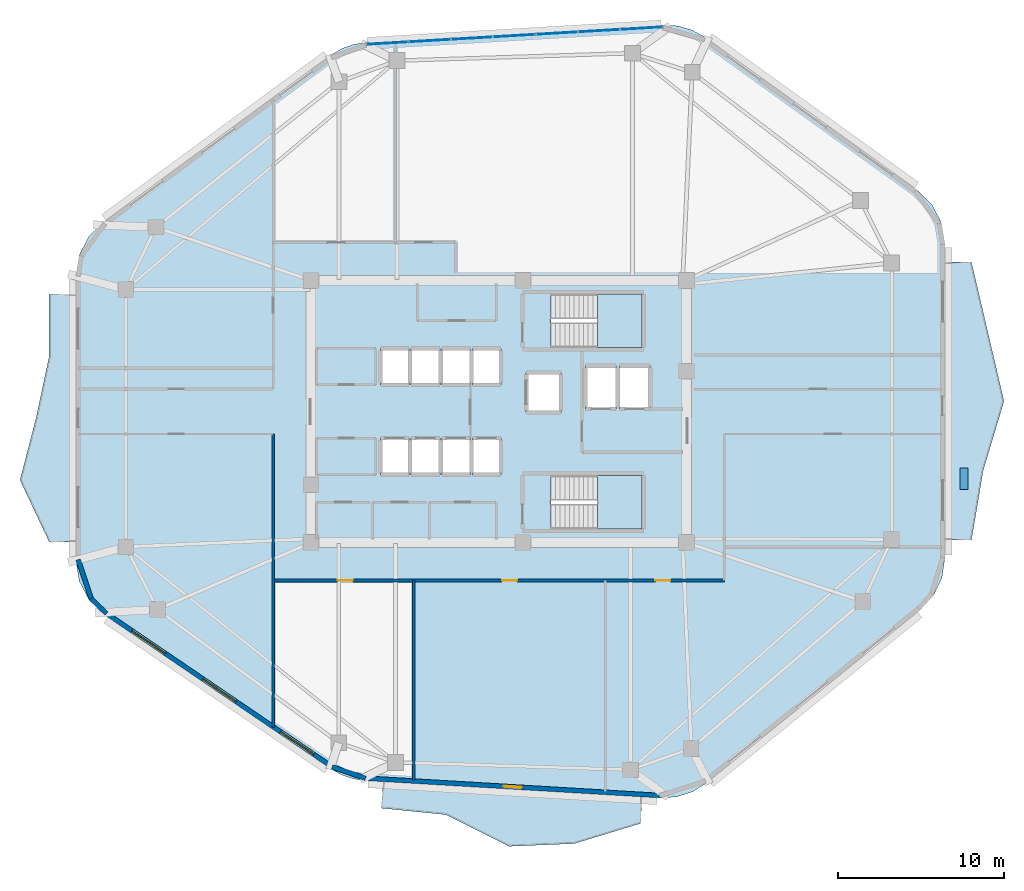
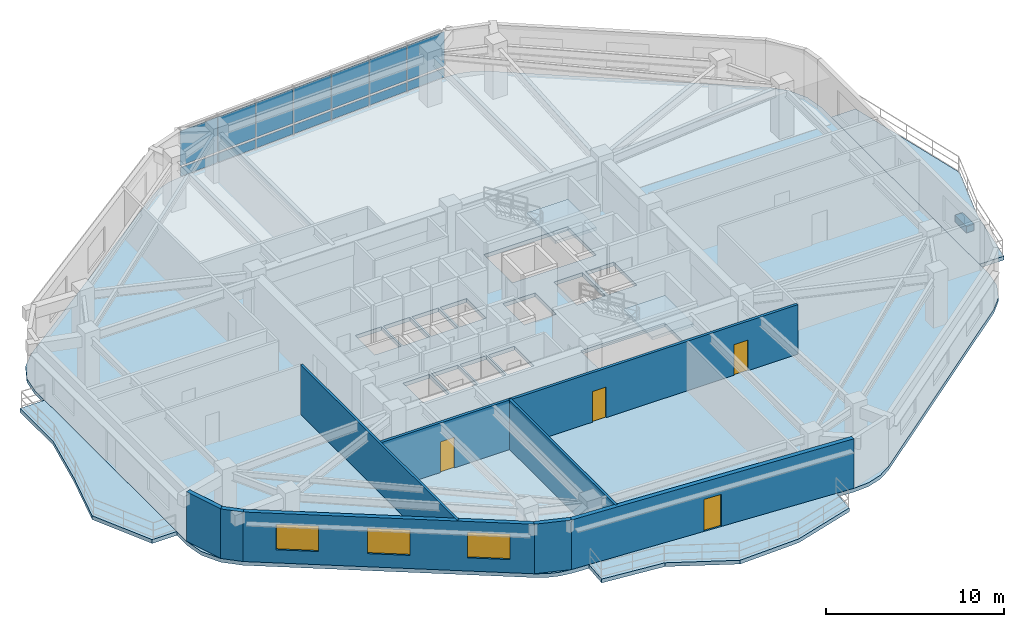
# One storey, part 7 of 14: 15 plates, 8 walls, 6 slabs, 4 doors, 3 windows, 7 openings, 3 elements without a shape of their own.
"""IFC4 building model written with IfcOpenShell, lengths in metres."""

import ifcopenshell
import ifcopenshell.guid

model = None  # the IFC model being written
_history = None  # IfcOwnerHistory: only IFC2X3 demands one
_inside = {}  # id of a spatial element -> (the spatial element, [elements in it])
_under = {}  # id of a project, library or spatial element -> (it, [spatial elements below it])
_declared = {}  # id of a project -> (the project, [libraries it declares])
_typed = {}  # id of a type object -> (the type object, [elements of that type])
_made_of = {}  # id of a material, layer set ... -> (it, [elements and type objects made of it])


def new_model(schema):
    """Start an empty IFC model of exactly this schema.

    Asked for "IFC4X3", IfcOpenShell would pick the latest addendum, in which some entities
    have other attributes; the version numbers below select the first issue.
    IFC2X3 requires an IfcOwnerHistory on every rooted entity: one is made here for all.
    """
    global model, _history
    if schema == "IFC4X3":
        model = ifcopenshell.file(schema_version=(4, 3, 0, 0))
    else:
        model = ifcopenshell.file(schema=schema)
    _inside.clear()
    _under.clear()
    _declared.clear()
    _typed.clear()
    _made_of.clear()
    _history = None
    if model.schema == "IFC2X3":
        org = make("IfcOrganization", Name="unknown")
        user = make(
            "IfcPersonAndOrganization",
            ThePerson=make("IfcPerson", FamilyName="unknown"),
            TheOrganization=org,
        )
        app = make(
            "IfcApplication",
            ApplicationDeveloper=org,
            Version="unknown",
            ApplicationFullName="unknown",
            ApplicationIdentifier="unknown",
        )
        _history = make(
            "IfcOwnerHistory",
            OwningUser=user,
            OwningApplication=app,
            ChangeAction="ADDED",
            CreationDate=0,
        )
    return model


def make(cls, **values):
    """One entity of the class cls with the attributes given. An attribute that is None is left unset."""
    return model.create_entity(
        cls, **{name: value for name, value in values.items() if value is not None}
    )


def rooted(cls, **values):
    """An entity with a GlobalId (a new one), such as an element, a storey or a relation."""
    return make(cls, GlobalId=ifcopenshell.guid.new(), OwnerHistory=_history, **values)


def si_unit(unit_type, name, prefix=None):
    """IfcSIUnit, for example si_unit("LENGTHUNIT", "METRE", prefix="MILLI")."""
    return make("IfcSIUnit", UnitType=unit_type, Prefix=prefix, Name=name)


def assignment(units):
    """IfcUnitAssignment: the units of a project."""
    return None if units is None else make("IfcUnitAssignment", Units=units)


def point(xyz):
    """IfcCartesianPoint."""
    return None if xyz is None else make("IfcCartesianPoint", Coordinates=xyz)


def direction(xyz):
    """IfcDirection."""
    return None if xyz is None else make("IfcDirection", DirectionRatios=xyz)


def frame(location, z_axis=None, x_axis=None):
    """IfcAxis2Placement3D, a coordinate frame: its origin and axes. An axis left out is left unset."""
    return make(
        "IfcAxis2Placement3D",
        Location=point(location),
        Axis=direction(z_axis),
        RefDirection=direction(x_axis),
    )


def frame_2d(location, x_axis=None):
    """IfcAxis2Placement2D, a coordinate frame in the plane: its origin and x axis."""
    return make(
        "IfcAxis2Placement2D", Location=point(location), RefDirection=direction(x_axis)
    )


def origin():
    """The frame at (0, 0, 0) with its axes left unset."""
    return frame((0.0, 0.0, 0.0))


def origin_2d():
    """The frame at (0, 0) in the plane with its x axis left unset."""
    return frame_2d((0.0, 0.0))


def place(relative_to, where):
    """IfcLocalPlacement: puts the frame where relative to a parent placement (None: the world)."""
    return make(
        "IfcLocalPlacement", PlacementRelTo=relative_to, RelativePlacement=where
    )


def context(
    kind, dimensions, precision=None, world=None, true_north=None, identifier=None
):
    """IfcGeometricRepresentationContext, for example the 3D "Model" context."""
    return make(
        "IfcGeometricRepresentationContext",
        ContextIdentifier=identifier,
        ContextType=kind,
        CoordinateSpaceDimension=dimensions,
        Precision=precision,
        WorldCoordinateSystem=world,
        TrueNorth=true_north,
    )


def subcontext(parent, identifier, kind, view, scale=None):
    """IfcGeometricRepresentationSubContext, for example "Body" below "Model"."""
    return make(
        "IfcGeometricRepresentationSubContext",
        ContextIdentifier=identifier,
        ContextType=kind,
        ParentContext=parent,
        TargetScale=scale,
        TargetView=view,
    )


def project(units=None, contexts=None):
    """IfcProject with its units and contexts."""
    return rooted(
        "IfcProject",
        Name="project",
        RepresentationContexts=contexts,
        UnitsInContext=assignment(units),
    )


def spatial(cls, under=None, at=None, **own):
    """A site, building, storey or space (cls), placed at a placement, below another one or the project."""
    s = rooted(cls, ObjectPlacement=at, **own)
    if under is not None:
        _under.setdefault(under.id(), (under, []))[1].append(s)
    return s


def polyline(points):
    """IfcPolyline through the points."""
    return make("IfcPolyline", Points=[point(p) for p in points])


def profile(cls, at=None, kind="AREA", **sizes):
    """A parametric profile (cls). Its sizes go by their IFC names, for example OverallWidth=200.0."""
    return make(cls, ProfileType=kind, Position=at, **sizes)


def rectangle(**sizes):
    """IfcRectangleProfileDef."""
    return profile("IfcRectangleProfileDef", **sizes)


def outline(outer, holes=None, kind="AREA"):
    """IfcArbitraryClosedProfileDef: a profile drawn as a closed curve; with holes, ...WithVoids."""
    if holes is None:
        return make("IfcArbitraryClosedProfileDef", ProfileType=kind, OuterCurve=outer)
    return make(
        "IfcArbitraryProfileDefWithVoids",
        ProfileType=kind,
        OuterCurve=outer,
        InnerCurves=holes,
    )


def extrude(swept, where, along, depth):
    """IfcExtrudedAreaSolid: the profile swept, set in the frame where, extruded along a direction by depth."""
    return make(
        "IfcExtrudedAreaSolid",
        SweptArea=swept,
        Position=where,
        ExtrudedDirection=direction(along),
        Depth=depth,
    )


def shape(context_of_items, identifier, shape_type, items):
    """IfcShapeRepresentation: the items that make up one representation, for example the "Body"."""
    return make(
        "IfcShapeRepresentation",
        ContextOfItems=context_of_items,
        RepresentationIdentifier=identifier,
        RepresentationType=shape_type,
        Items=items,
    )


def material(Name=None, Category=None):
    """IfcMaterial."""
    return make("IfcMaterial", Name=Name, Category=Category)


def layer(
    of_material, thickness, ventilated=None, Name=None, Category=None, Priority=None
):
    """IfcMaterialLayer: one layer of a wall or slab, of a material (None: an air gap)."""
    return make(
        "IfcMaterialLayer",
        Material=of_material,
        LayerThickness=thickness,
        IsVentilated=ventilated,
        Name=Name,
        Category=Category,
        Priority=Priority,
    )


def layer_set(layers, Name=None):
    """IfcMaterialLayerSet."""
    return make("IfcMaterialLayerSet", MaterialLayers=layers, LayerSetName=Name)


def made_of(thing, what):
    """Note that an element or type object is made of a material, layer set ...; save() writes the relation."""
    if what is not None:
        _made_of.setdefault(what.id(), (what, []))[1].append(thing)
    return thing


def type_object(cls, material=None, **own):
    """A type object (cls), such as IfcWallType, which elements share."""
    return made_of(rooted(cls, **own), material)


def element(
    cls,
    number,
    at=None,
    inside=None,
    cuts=None,
    type_object=None,
    material=None,
    context=None,
    identifier="Body",
    shape_type=None,
    held_by="IfcProductDefinitionShape",
    body=None,
    shapes=None,
    **own,
):
    """One element of the class cls, such as IfcWall. Its Tag is "e" and its number.

    at: its placement. inside: the storey or other place that contains it. cuts: it is an
    opening in that element (IfcRelVoidsElement). A single representation is given by context,
    identifier, shape_type and body (its items); several are given by shapes. held_by: the class
    of the entity that holds the representations. save() writes the other relations.
    """
    e = rooted(cls, Tag="e%d" % number, ObjectPlacement=at, **own)
    if body is not None:
        shapes = [shape(context, identifier, shape_type, body)]
    if shapes is not None:
        e.Representation = make(held_by, Representations=shapes)
    if inside is not None:
        _inside.setdefault(inside.id(), (inside, []))[1].append(e)
    if cuts is not None:
        rooted(
            "IfcRelVoidsElement", RelatingBuildingElement=cuts, RelatedOpeningElement=e
        )
    if type_object is not None:
        _typed.setdefault(type_object.id(), (type_object, []))[1].append(e)
    return made_of(e, material)


def fill(opening, filler):
    """IfcRelFillsElement: the door or window that sits in an opening."""
    return rooted(
        "IfcRelFillsElement",
        RelatingOpeningElement=opening,
        RelatedBuildingElement=filler,
    )


def aggregate(whole, parts):
    """IfcRelAggregates: a whole, such as a stair, and the parts it consists of."""
    return rooted("IfcRelAggregates", RelatingObject=whole, RelatedObjects=parts)


def save(model, path):
    """Write the relations noted so far, then the file.

    IfcRelAggregates (storeys below a building ...), IfcRelContainedInSpatialStructure (elements
    in a storey), IfcRelDefinesByType, IfcRelAssociatesMaterial and IfcRelDeclares: one each for
    every whole, place, type object, material and project.
    """
    for whole, parts in _under.values():
        aggregate(whole, parts)
    for where, things in _inside.values():
        rooted(
            "IfcRelContainedInSpatialStructure",
            RelatedElements=things,
            RelatingStructure=where,
        )
    for kind, things in _typed.values():
        rooted("IfcRelDefinesByType", RelatedObjects=things, RelatingType=kind)
    for what, things in _made_of.values():
        rooted("IfcRelAssociatesMaterial", RelatedObjects=things, RelatingMaterial=what)
    for by, libraries in _declared.values():
        rooted("IfcRelDeclares", RelatingContext=by, RelatedDefinitions=libraries)
    model.write(path)


model = new_model("IFC4")

# Units and contexts
model_context = context("Model", 3, precision=1e-05, world=origin(), true_north=direction((0.0, 1.0)))
body_context = subcontext(model_context, "Body", "Model", "MODEL_VIEW")
ifc_project = project(units=[si_unit("LENGTHUNIT", "METRE"), si_unit("AREAUNIT", "SQUARE_METRE"), si_unit("VOLUMEUNIT", "CUBIC_METRE"), si_unit("PLANEANGLEUNIT", "RADIAN"), si_unit("MASSUNIT", "GRAM", prefix="KILO")], contexts=[model_context])

# Site, building, storey
site_placement = place(None, origin())
site = spatial("IfcSite", under=ifc_project, at=site_placement, CompositionType="ELEMENT")
building_placement = place(site_placement, origin())
building = spatial("IfcBuilding", under=site, at=building_placement, Name="Zulverin Broadcast Headquarters", CompositionType="ELEMENT")
storey_placement = place(building_placement, frame((0.0, 0.0, 216.199951171875)))
storey = spatial("IfcBuildingStorey", under=building, at=storey_placement, Name="L55", CompositionType="ELEMENT", Elevation=216.199951171875)

# Curtain wall, plates
ifc_material_1 = material(Name="Waist wind-pressure unitised curtain wall", Category="aluminium")
curtain_wall_type = type_object("IfcCurtainWallType", Name="CW-TWR-WST", PredefinedType="USERDEFINED", material=ifc_material_1)
curtain_wall_placement = place(storey_placement, origin())
curtain_wall = element("IfcCurtainWall", 1, at=curtain_wall_placement, inside=storey, type_object=curtain_wall_type, Name="L55 Unitised Curtain Wall CW-L55-E5", ObjectType="UNITISED CURTAIN WALL", PredefinedType="USERDEFINED")
ifc_material_2 = material(Name="Low-E double-glazed pale-silver vision glass", Category="glass")
ifc_layer_1 = layer(ifc_material_2, 0.035888671875, Name="Low-E double-glazed pale-silver vision glass", Category="glass")
ifc_layer_set_1 = layer_set([ifc_layer_1], Name="Low-E double-glazed pale-silver vision glass")
plate_type_1 = type_object("IfcPlateType", Name="CW-PNL-GLZ", PredefinedType="CURTAIN_PANEL", material=ifc_layer_set_1)
plate_1_placement = place(storey_placement, frame((45.573486328125, 48.221923828125, 0.881103515625), z_axis=(0.0, 0.0, 1.0), x_axis=(-0.998274332859, -0.058722707319, 0.0)))
plate_1 = element("IfcPlate", 2, at=plate_1_placement, type_object=plate_type_1, Name="CW-L55-E5 Vision Panel 00", PredefinedType="CURTAIN_PANEL", context=body_context, shape_type="SweptSolid", body=[
    extrude(rectangle(XDim=2.507568359375, YDim=0.035888671875, at=origin_2d()), origin(), (0.0, 0.0, 1.0), 2.37890625),
])
plate_2_placement = place(storey_placement, frame((43.0302734375, 48.072509765625, 0.881103515625), z_axis=(0.0, 0.0, 1.0), x_axis=(-0.998274332859, -0.058722707319, 0.0)))
plate_2 = element("IfcPlate", 3, at=plate_2_placement, type_object=plate_type_1, Name="CW-L55-E5 Vision Panel 01", PredefinedType="CURTAIN_PANEL", context=body_context, shape_type="SweptSolid", body=[
    extrude(rectangle(XDim=2.507568359375, YDim=0.035888671875, at=origin_2d()), origin(), (0.0, 0.0, 1.0), 2.37890625),
])
plate_3_placement = place(storey_placement, frame((40.487060546875, 47.9228515625, 0.881103515625), z_axis=(0.0, 0.0, 1.0), x_axis=(-0.998274332859, -0.058722707319, 0.0)))
plate_3 = element("IfcPlate", 4, at=plate_3_placement, type_object=plate_type_1, Name="CW-L55-E5 Vision Panel 02", PredefinedType="CURTAIN_PANEL", context=body_context, shape_type="SweptSolid", body=[
    extrude(rectangle(XDim=2.507568359375, YDim=0.035888671875, at=origin_2d()), origin(), (0.0, 0.0, 1.0), 2.37890625),
])
plate_4_placement = place(storey_placement, frame((37.94384765625, 47.773193359375, 0.881103515625), z_axis=(0.0, 0.0, 1.0), x_axis=(-0.998274332859, -0.058722707319, 0.0)))
plate_4 = element("IfcPlate", 5, at=plate_4_placement, type_object=plate_type_1, Name="CW-L55-E5 Vision Panel 03", PredefinedType="CURTAIN_PANEL", context=body_context, shape_type="SweptSolid", body=[
    extrude(rectangle(XDim=2.507568359375, YDim=0.035888671875, at=origin_2d()), origin(), (0.0, 0.0, 1.0), 2.37890625),
])
plate_5_placement = place(storey_placement, frame((35.400634765625, 47.62353515625, 0.881103515625), z_axis=(0.0, 0.0, 1.0), x_axis=(-0.998274332859, -0.058722707319, 0.0)))
plate_5 = element("IfcPlate", 6, at=plate_5_placement, type_object=plate_type_1, Name="CW-L55-E5 Vision Panel 04", PredefinedType="CURTAIN_PANEL", context=body_context, shape_type="SweptSolid", body=[
    extrude(rectangle(XDim=2.507568359375, YDim=0.035888671875, at=origin_2d()), origin(), (0.0, 0.0, 1.0), 2.37890625),
])
plate_6_placement = place(storey_placement, frame((32.857421875, 47.47412109375, 0.881103515625), z_axis=(0.0, 0.0, 1.0), x_axis=(-0.998274332859, -0.058722707319, 0.0)))
plate_6 = element("IfcPlate", 7, at=plate_6_placement, type_object=plate_type_1, Name="CW-L55-E5 Vision Panel 05", PredefinedType="CURTAIN_PANEL", context=body_context, shape_type="SweptSolid", body=[
    extrude(rectangle(XDim=2.507568359375, YDim=0.035888671875, at=origin_2d()), origin(), (0.0, 0.0, 1.0), 2.37890625),
])
plate_7_placement = place(storey_placement, frame((30.314208984375, 47.324462890625, 0.881103515625), z_axis=(0.0, 0.0, 1.0), x_axis=(-0.998274332859, -0.058722707319, 0.0)))
plate_7 = element("IfcPlate", 8, at=plate_7_placement, type_object=plate_type_1, Name="CW-L55-E5 Vision Panel 06", PredefinedType="CURTAIN_PANEL", context=body_context, shape_type="SweptSolid", body=[
    extrude(rectangle(XDim=2.507568359375, YDim=0.035888671875, at=origin_2d()), origin(), (0.0, 0.0, 1.0), 2.37890625),
])
ifc_material_3 = material(Name="Insulated brushed pale-aluminium spandrel cassette", Category="aluminium")
ifc_layer_2 = layer(ifc_material_3, 0.050048828125, Name="Insulated brushed pale-aluminium spandrel cassette", Category="aluminium")
ifc_layer_set_2 = layer_set([ifc_layer_2], Name="Insulated brushed pale-aluminium spandrel cassette")
plate_type_2 = type_object("IfcPlateType", Name="CW-PNL-SPN", PredefinedType="CURTAIN_PANEL", material=ifc_layer_set_2)
plate_8_placement = place(storey_placement, frame((45.573486328125, 48.221923828125, 0.14013671875), z_axis=(0.0, 0.0, 1.0), x_axis=(-0.998274332859, -0.058722707319, 0.0)))
plate_8 = element("IfcPlate", 9, at=plate_8_placement, type_object=plate_type_2, Name="CW-L55-E5 Spandrel Cassette 00", PredefinedType="CURTAIN_PANEL", context=body_context, shape_type="SweptSolid", body=[
    extrude(rectangle(XDim=2.507568359375, YDim=0.050048828125, at=origin_2d()), origin(), (0.0, 0.0, 1.0), 0.611083984375),
])
plate_9_placement = place(storey_placement, frame((43.0302734375, 48.072509765625, 0.14013671875), z_axis=(0.0, 0.0, 1.0), x_axis=(-0.998274332859, -0.058722707319, 0.0)))
plate_9 = element("IfcPlate", 10, at=plate_9_placement, type_object=plate_type_2, Name="CW-L55-E5 Spandrel Cassette 01", PredefinedType="CURTAIN_PANEL", context=body_context, shape_type="SweptSolid", body=[
    extrude(rectangle(XDim=2.507568359375, YDim=0.050048828125, at=origin_2d()), origin(), (0.0, 0.0, 1.0), 0.611083984375),
])
plate_10_placement = place(storey_placement, frame((40.487060546875, 47.9228515625, 0.14013671875), z_axis=(0.0, 0.0, 1.0), x_axis=(-0.998274332859, -0.058722707319, 0.0)))
plate_10 = element("IfcPlate", 11, at=plate_10_placement, type_object=plate_type_2, Name="CW-L55-E5 Spandrel Cassette 02", PredefinedType="CURTAIN_PANEL", context=body_context, shape_type="SweptSolid", body=[
    extrude(rectangle(XDim=2.507568359375, YDim=0.050048828125, at=origin_2d()), origin(), (0.0, 0.0, 1.0), 0.611083984375),
])
plate_11_placement = place(storey_placement, frame((37.94384765625, 47.773193359375, 0.14013671875), z_axis=(0.0, 0.0, 1.0), x_axis=(-0.998274332859, -0.058722707319, 0.0)))
plate_11 = element("IfcPlate", 12, at=plate_11_placement, type_object=plate_type_2, Name="CW-L55-E5 Spandrel Cassette 03", PredefinedType="CURTAIN_PANEL", context=body_context, shape_type="SweptSolid", body=[
    extrude(rectangle(XDim=2.507568359375, YDim=0.050048828125, at=origin_2d()), origin(), (0.0, 0.0, 1.0), 0.611083984375),
])
plate_12_placement = place(storey_placement, frame((35.400634765625, 47.62353515625, 0.14013671875), z_axis=(0.0, 0.0, 1.0), x_axis=(-0.998274332859, -0.058722707319, 0.0)))
plate_12 = element("IfcPlate", 13, at=plate_12_placement, type_object=plate_type_2, Name="CW-L55-E5 Spandrel Cassette 04", PredefinedType="CURTAIN_PANEL", context=body_context, shape_type="SweptSolid", body=[
    extrude(rectangle(XDim=2.507568359375, YDim=0.050048828125, at=origin_2d()), origin(), (0.0, 0.0, 1.0), 0.611083984375),
])
plate_13_placement = place(storey_placement, frame((32.857421875, 47.47412109375, 0.14013671875), z_axis=(0.0, 0.0, 1.0), x_axis=(-0.998274332859, -0.058722707319, 0.0)))
plate_13 = element("IfcPlate", 14, at=plate_13_placement, type_object=plate_type_2, Name="CW-L55-E5 Spandrel Cassette 05", PredefinedType="CURTAIN_PANEL", context=body_context, shape_type="SweptSolid", body=[
    extrude(rectangle(XDim=2.507568359375, YDim=0.050048828125, at=origin_2d()), origin(), (0.0, 0.0, 1.0), 0.611083984375),
])
plate_14_placement = place(storey_placement, frame((30.314208984375, 47.324462890625, 0.14013671875), z_axis=(0.0, 0.0, 1.0), x_axis=(-0.998274332859, -0.058722707319, 0.0)))
plate_14 = element("IfcPlate", 15, at=plate_14_placement, type_object=plate_type_2, Name="CW-L55-E5 Spandrel Cassette 06", PredefinedType="CURTAIN_PANEL", context=body_context, shape_type="SweptSolid", body=[
    extrude(rectangle(XDim=2.507568359375, YDim=0.050048828125, at=origin_2d()), origin(), (0.0, 0.0, 1.0), 0.611083984375),
])
aggregate(curtain_wall, [plate_8, plate_1, plate_9, plate_2, plate_10, plate_3, plate_11, plate_4, plate_12, plate_5, plate_13, plate_6, plate_14, plate_7])

# Plate
ifc_material_4 = material(Name="Precast concrete C45/55", Category="concrete")
ifc_layer_3 = layer(ifc_material_4, 0.449951171875, Name="Precast concrete C45/55", Category="concrete")
ifc_layer_set_3 = layer_set([ifc_layer_3], Name="Precast concrete C45/55")
plate_type_3 = type_object("IfcPlateType", Name="PT-01_PRECAST_GFRC_TREE_PLANTER", PredefinedType="USERDEFINED", material=ifc_layer_set_3)
plate_15_placement = place(storey_placement, frame((64.949951171875, 21.1591796875, -0.0048828125), z_axis=(0.0, 0.0, 1.0), x_axis=(0.0, 1.0, 0.0)))
element("IfcPlate", 16, at=plate_15_placement, inside=storey, type_object=plate_type_3, Name="L55 Precast GFRC Tree Planter BAL_E", ObjectType="PLANTER", PredefinedType="USERDEFINED", context=body_context, shape_type="SweptSolid", body=[
    extrude(rectangle(XDim=1.300048828125, YDim=0.5, at=origin_2d()), origin(), (0.0, 0.0, 1.0), 0.449951171875),
])

# Slabs
ifc_material_5 = material(Name="Concrete C40/50", Category="concrete")
ifc_layer_4 = layer(ifc_material_5, 0.260009765625, Name="Concrete C40/50", Category="concrete")
ifc_layer_set_4 = layer_set([ifc_layer_4], Name="Concrete C40/50")
slab_type_1 = type_object("IfcSlabType", Name="SLB-BAL-260", PredefinedType="FLOOR", material=ifc_layer_set_4)
slab_1_placement = place(storey_placement, frame((0.0, 0.0, -0.260009765625)))
element("IfcSlab", 17, at=slab_1_placement, inside=storey, type_object=slab_type_1, Name="L55 Cantilevered Planted Balcony Slab BAL_E", PredefinedType="FLOOR", context=body_context, shape_type="SweptSolid", body=[
    extrude(outline(polyline([(63.800048828125, 34.166259765625), (63.800048828125, 17.490478515625), (65.39990234375, 17.490478515625), (66.10205078125, 21.6591796875), (67.35009765625, 25.828369140625), (66.373046875, 29.997314453125), (65.39990234375, 34.166259765625), (63.800048828125, 34.166259765625)])), origin(), (0.0, 0.0, 1.0), 0.260009765625),
])
slab_2_placement = place(storey_placement, frame((0.0, 0.0, -0.260009765625)))
element("IfcSlab", 18, at=slab_2_placement, inside=storey, type_object=slab_type_1, Name="L55 Cantilevered Planted Balcony Slab BAL_S", PredefinedType="FLOOR", context=body_context, shape_type="SweptSolid", body=[
    extrude(outline(polyline([(45.61083984375, 2.0556640625), (30.055419921875, 2.970703125), (29.96142578125, 1.373291015625), (33.8408203125, 0.98193359375), (37.63134765625, -0.9189453125), (41.54345703125, -0.75341796875), (45.51708984375, 0.45849609375), (45.61083984375, 2.0556640625)])), origin(), (0.0, 0.0, 1.0), 0.260009765625),
])
slab_3_placement = place(storey_placement, frame((0.0, 0.0, -0.260009765625)))
element("IfcSlab", 19, at=slab_3_placement, inside=storey, type_object=slab_type_1, Name="L55 Cantilevered Planted Balcony Slab BAL_W", PredefinedType="FLOOR", context=body_context, shape_type="SweptSolid", body=[
    extrude(outline(polyline([(11.60009765625, 17.36767578125), (11.60009765625, 32.240234375), (10.0, 32.240234375), (10.0, 28.522216796875), (9.21044921875, 24.803955078125), (8.24609375, 21.085693359375), (10.0, 17.36767578125), (11.60009765625, 17.36767578125)])), origin(), (0.0, 0.0, 1.0), 0.260009765625),
])

# Stair, slab
stair_type = type_object("IfcStairType", Name="ST-CORE-1500", PredefinedType="HALF_TURN_STAIR", material=ifc_material_5)
stair_1_placement = place(storey_placement, origin())
stair_1 = element("IfcStair", 20, at=stair_1_placement, inside=storey, type_object=stair_type, Name="L55 Core Exit Stair ST-1", PredefinedType="HALF_TURN_STAIR")
ifc_layer_5 = layer(ifc_material_5, 0.199951171875, Name="Concrete C40/50", Category="concrete")
ifc_layer_set_5 = layer_set([ifc_layer_5], Name="Concrete C40/50")
slab_type_2 = type_object("IfcSlabType", Name="SLB-ST-LND200", PredefinedType="LANDING", material=ifc_layer_set_5)
slab_4_placement = place(storey_placement, frame((0.0, 0.0, 1.699951171875)))
slab_4 = element("IfcSlab", 21, at=slab_4_placement, type_object=slab_type_2, Name="ST-1 landing 1", PredefinedType="LANDING", context=body_context, shape_type="SweptSolid", body=[
    extrude(outline(polyline([(42.929931640625, 29.050048828125), (45.60009765625, 29.050048828125), (45.60009765625, 32.25), (42.929931640625, 32.25), (42.929931640625, 29.050048828125)])), origin(), (0.0, 0.0, 1.0), 0.2001953125),
])
aggregate(stair_1, [slab_4])

stair_2_placement = place(storey_placement, origin())
stair_2 = element("IfcStair", 22, at=stair_2_placement, inside=storey, type_object=stair_type, Name="L55 Core Exit Stair ST-2", PredefinedType="HALF_TURN_STAIR")
slab_5_placement = place(storey_placement, frame((0.0, 0.0, 1.699951171875)))
slab_5 = element("IfcSlab", 23, at=slab_5_placement, type_object=slab_type_2, Name="ST-2 landing 1", PredefinedType="LANDING", context=body_context, shape_type="SweptSolid", body=[
    extrude(outline(polyline([(42.929931640625, 18.14990234375), (45.60009765625, 18.14990234375), (45.60009765625, 21.35009765625), (42.929931640625, 21.35009765625), (42.929931640625, 18.14990234375)])), origin(), (0.0, 0.0, 1.0), 0.2001953125),
])
aggregate(stair_2, [slab_5])

# Slab
ifc_layer_6 = layer(ifc_material_5, 0.260009765625, Name="Concrete C40/50", Category="concrete")
ifc_layer_set_6 = layer_set([ifc_layer_6], Name="Concrete C40/50")
slab_type_3 = type_object("IfcSlabType", Name="SLB-TWR-260", PredefinedType="FLOOR", material=ifc_layer_set_6)
slab_6_placement = place(storey_placement, frame((0.0, 0.0, -0.260009765625)))
element("IfcSlab", 24, at=slab_6_placement, inside=storey, type_object=slab_type_3, Name="L55 Main Structural Floor Slab", PredefinedType="FLOOR", context=body_context, shape_type="SweptSolid", body=[
    extrude(outline(polyline([(26.943603515625, 3.72021484375), (27.570068359375, 3.3720703125), (28.24853515625, 3.14111328125), (28.95751953125, 3.03515625), (46.708984375, 1.990966796875), (47.690185546875, 2.05419921875), (48.626220703125, 2.35498046875), (49.46044921875, 2.875), (62.316650390625, 13.28125), (63.11572265625, 14.1533203125), (63.625, 15.220703125), (63.800048828125, 16.390380859375), (63.800048828125, 35.26611328125), (63.602294921875, 36.50830078125), (63.02880859375, 37.627197265625), (62.13623046875, 38.51318359375), (49.408935546875, 47.67041015625), (48.61669921875, 48.113525390625), (47.74462890625, 48.36669921875), (46.837890625, 48.41650390625), (29.03564453125, 47.369384765625), (28.27978515625, 47.251708984375), (27.560302734375, 46.9921875), (26.9033203125, 46.6005859375), (13.23291015625, 36.564697265625), (12.356201171875, 35.680908203125), (11.793701171875, 34.570068359375), (11.60009765625, 33.34033203125), (11.60009765625, 16.267578125), (11.808837890625, 14.991943359375), (12.413818359375, 13.849365234375), (13.351318359375, 12.95947265625), (26.943603515625, 3.72021484375)]), holes=[polyline([(40.155029296875, 30.75), (40.130126953125, 30.75), (40.130126953125, 32.25), (45.60009765625, 32.25), (45.60009765625, 29.050048828125), (40.155029296875, 29.050048828125), (40.155029296875, 30.75)]), polyline([(40.155029296875, 19.85009765625), (40.130126953125, 19.85009765625), (40.130126953125, 21.35009765625), (45.60009765625, 21.35009765625), (45.60009765625, 18.14990234375), (40.155029296875, 18.14990234375), (40.155029296875, 19.85009765625)]), polyline([(29.89990234375, 21.39990234375), (31.6201171875, 21.39990234375), (31.6201171875, 23.60009765625), (29.89990234375, 23.60009765625), (29.89990234375, 21.39990234375)]), polyline([(31.739990234375, 21.39990234375), (33.4599609375, 21.39990234375), (33.4599609375, 23.60009765625), (31.739990234375, 23.60009765625), (31.739990234375, 21.39990234375)]), polyline([(33.580078125, 21.39990234375), (35.300048828125, 21.39990234375), (35.300048828125, 23.60009765625), (33.580078125, 23.60009765625), (33.580078125, 21.39990234375)]), polyline([(35.419921875, 21.39990234375), (37.139892578125, 21.39990234375), (37.139892578125, 23.60009765625), (35.419921875, 23.60009765625), (35.419921875, 21.39990234375)]), polyline([(29.89990234375, 26.800048828125), (31.6201171875, 26.800048828125), (31.6201171875, 29.0), (29.89990234375, 29.0), (29.89990234375, 26.800048828125)]), polyline([(31.739990234375, 26.800048828125), (33.4599609375, 26.800048828125), (33.4599609375, 29.0), (31.739990234375, 29.0), (31.739990234375, 26.800048828125)]), polyline([(33.580078125, 26.800048828125), (35.300048828125, 26.800048828125), (35.300048828125, 29.0), (33.580078125, 29.0), (33.580078125, 26.800048828125)]), polyline([(35.419921875, 26.800048828125), (37.139892578125, 26.800048828125), (37.139892578125, 29.0), (35.419921875, 29.0), (35.419921875, 26.800048828125)]), polyline([(42.199951171875, 25.35009765625), (44.050048828125, 25.35009765625), (44.050048828125, 27.949951171875), (42.199951171875, 27.949951171875), (42.199951171875, 25.35009765625)]), polyline([(44.25, 25.35009765625), (46.10009765625, 25.35009765625), (46.10009765625, 27.949951171875), (44.25, 27.949951171875), (44.25, 25.35009765625)]), polyline([(38.64990234375, 25.14990234375), (40.75, 25.14990234375), (40.75, 27.550048828125), (38.64990234375, 27.550048828125), (38.64990234375, 25.14990234375)])]), origin(), (0.0, 0.0, 1.0), 0.260009765625),
])

# Wall, opening, door
ifc_material_6 = material(Name="Insulated pale-metal clad concrete spandrel C40/50", Category="concrete")
ifc_layer_7 = layer(ifc_material_6, 0.280029296875, Name="Insulated pale-metal clad concrete spandrel C40/50", Category="concrete")
ifc_layer_set_7 = layer_set([ifc_layer_7], Name="Insulated pale-metal clad concrete spandrel C40/50")
wall_type_1 = type_object("IfcWallType", Name="WL-EXT-280", PredefinedType="STANDARD", material=ifc_layer_set_7)
wall_1_placement = place(storey_placement, frame((28.965576171875, 3.175048828125, 0.0), z_axis=(0.0, 0.0, 1.0), x_axis=(0.998274467859, -0.058720412304, 0.0)))
wall_1 = element("IfcWall", 25, at=wall_1_placement, inside=storey, type_object=wall_type_1, Name="L55 Pale-Metal Clad Spandrel Wall 1", PredefinedType="STANDARD", context=body_context, shape_type="SweptSolid", body=[
    extrude(rectangle(XDim=17.782470703125, YDim=0.280029296875, at=frame_2d((8.89111328125, 0.0))), origin(), (0.0, 0.0, 1.0), 3.400146484375),
])
opening_1_placement = place(wall_1_placement, frame((8.341064453125, 0.0, 0.0)))
opening_1 = element("IfcOpeningElement", 26, at=opening_1_placement, cuts=wall_1, Name="Opening D-L55-TR1", PredefinedType="OPENING", context=body_context, shape_type="SweptSolid", body=[
    extrude(rectangle(XDim=1.10009765625, YDim=2.199951171875, at=frame_2d((0.550048828125, 1.10009765625))), frame((0.0, 0.14990234375, 0.0), z_axis=(0.0, -1.0, 0.0), x_axis=(1.0, 0.0, 0.0)), (0.0, 0.0, 1.0), 0.300048828125),
])
ifc_material_7 = material(Name="Thermally broken aluminium glazed", Category="aluminium")
door_type_1 = type_object("IfcDoorType", Name="DR-TERR-1100", OperationType="SINGLE_SWING_RIGHT", PredefinedType="DOOR", material=ifc_material_7)
door_1_placement = place(opening_1_placement, origin())
door_1 = element("IfcDoor", 27, at=door_1_placement, inside=storey, type_object=door_type_1, Name="L55 Planted Terrace Glazed Access Door 1", OperationType="SINGLE_SWING_RIGHT", OverallHeight=2.199951171875, OverallWidth=1.10009765625, PredefinedType="DOOR", context=body_context, shape_type="SweptSolid", body=[
    extrude(rectangle(XDim=1.10009765625, YDim=2.199951171875, at=frame_2d((0.550048828125, 1.10009765625))), frame((0.0, 0.02490234375, 0.0), z_axis=(0.0, -1.0, 0.0), x_axis=(1.0, 0.0, 0.0)), (0.0, 0.0, 1.0), 0.050048828125),
])
fill(opening_1, door_1)

# Wall, openings, windows
wall_2_placement = place(storey_placement, frame((13.429931640625, 13.0751953125, 0.0), z_axis=(0.0, 0.0, 1.0), x_axis=(0.827025402003, -0.562164552815, 0.0)))
wall_2 = element("IfcWall", 28, at=wall_2_placement, inside=storey, type_object=wall_type_1, Name="L55 Pale-Metal Clad Spandrel Wall 8", PredefinedType="STANDARD", context=body_context, shape_type="SweptSolid", body=[
    extrude(rectangle(XDim=16.43505859375, YDim=0.280029296875, at=frame_2d((8.217529296875, 0.0))), origin(), (0.0, 0.0, 1.0), 3.400146484375),
])
opening_2_placement = place(wall_2_placement, frame((1.87255859375, 0.0, 0.89990234375)))
opening_2 = element("IfcOpeningElement", 29, at=opening_2_placement, cuts=wall_2, Name="Opening W-L55-E81", PredefinedType="OPENING", context=body_context, shape_type="SweptSolid", body=[
    extrude(rectangle(XDim=2.39990234375, YDim=1.75, at=frame_2d((1.199951171875, 0.875))), frame((0.0, 0.14990234375, 0.0), z_axis=(0.0, -1.0, 0.0), x_axis=(1.0, 0.0, 0.0)), (0.0, 0.0, 1.0), 0.300048828125),
])
opening_3_placement = place(wall_2_placement, frame((7.017578125, 0.0, 0.89990234375)))
opening_3 = element("IfcOpeningElement", 30, at=opening_3_placement, cuts=wall_2, Name="Opening W-L55-E82", PredefinedType="OPENING", context=body_context, shape_type="SweptSolid", body=[
    extrude(rectangle(XDim=2.39990234375, YDim=1.75, at=frame_2d((1.199951171875, 0.875))), frame((0.0, 0.14990234375, 0.0), z_axis=(0.0, -1.0, 0.0), x_axis=(1.0, 0.0, 0.0)), (0.0, 0.0, 1.0), 0.300048828125),
])
opening_4_placement = place(wall_2_placement, frame((12.66259765625, 0.0, 0.89990234375)))
opening_4 = element("IfcOpeningElement", 31, at=opening_4_placement, cuts=wall_2, Name="Opening W-L55-E83", PredefinedType="OPENING", context=body_context, shape_type="SweptSolid", body=[
    extrude(rectangle(XDim=2.39990234375, YDim=1.75, at=frame_2d((1.199951171875, 0.875))), frame((0.0, 0.14990234375, 0.0), z_axis=(0.0, -1.0, 0.0), x_axis=(1.0, 0.0, 0.0)), (0.0, 0.0, 1.0), 0.300048828125),
])
ifc_material_8 = material(Name="Pale anodized aluminium frame with solar-control low-E double glazing", Category="aluminium")
window_type = type_object("IfcWindowType", Name="WIN-RIB-2400", PartitioningType="SINGLE_PANEL", PredefinedType="WINDOW", material=ifc_material_8)
window_1_placement = place(opening_2_placement, origin())
window_1 = element("IfcWindow", 32, at=window_1_placement, inside=storey, type_object=window_type, Name="L55 Ribbon Glazing Window 8 1", OverallHeight=1.75, OverallWidth=2.39990234375, PartitioningType="SINGLE_PANEL", PredefinedType="WINDOW", context=body_context, shape_type="SweptSolid", body=[
    extrude(rectangle(XDim=2.39990234375, YDim=1.75, at=frame_2d((1.199951171875, 0.875))), frame((0.0, 0.030029296875, 0.0), z_axis=(0.0, -1.0, 0.0), x_axis=(1.0, 0.0, 0.0)), (0.0, 0.0, 1.0), 0.06005859375),
])
fill(opening_2, window_1)
window_2_placement = place(opening_3_placement, origin())
window_2 = element("IfcWindow", 33, at=window_2_placement, inside=storey, type_object=window_type, Name="L55 Ribbon Glazing Window 8 2", OverallHeight=1.75, OverallWidth=2.39990234375, PartitioningType="SINGLE_PANEL", PredefinedType="WINDOW", context=body_context, shape_type="SweptSolid", body=[
    extrude(rectangle(XDim=2.39990234375, YDim=1.75, at=frame_2d((1.199951171875, 0.875))), frame((0.0, 0.030029296875, 0.0), z_axis=(0.0, -1.0, 0.0), x_axis=(1.0, 0.0, 0.0)), (0.0, 0.0, 1.0), 0.06005859375),
])
fill(opening_3, window_2)
window_3_placement = place(opening_4_placement, origin())
window_3 = element("IfcWindow", 34, at=window_3_placement, inside=storey, type_object=window_type, Name="L55 Ribbon Glazing Window 8 3", OverallHeight=1.75, OverallWidth=2.39990234375, PartitioningType="SINGLE_PANEL", PredefinedType="WINDOW", context=body_context, shape_type="SweptSolid", body=[
    extrude(rectangle(XDim=2.39990234375, YDim=1.75, at=frame_2d((1.199951171875, 0.875))), frame((0.0, 0.030029296875, 0.0), z_axis=(0.0, -1.0, 0.0), x_axis=(1.0, 0.0, 0.0)), (0.0, 0.0, 1.0), 0.06005859375),
])
fill(opening_4, window_3)

# Walls
wall_3_placement = place(storey_placement, frame((11.732666015625, 16.312255859375, 0.0), z_axis=(0.0, 0.0, 1.0), x_axis=(0.318924860995, -0.947780002447, 0.0)))
element("IfcWall", 35, at=wall_3_placement, inside=storey, type_object=wall_type_1, Name="L55 Wind-Shaped Corner Spandrel Wall 7-1", PredefinedType="STANDARD", context=body_context, shape_type="SweptSolid", body=[
    extrude(rectangle(XDim=2.551513671875, YDim=0.280029296875, at=frame_2d((1.27587890625, 0.0))), origin(), (0.0, 0.0, 1.0), 3.400146484375),
])
wall_4_placement = place(storey_placement, frame((12.510009765625, 13.950927734375, 0.0), z_axis=(0.0, 0.0, 1.0), x_axis=(0.725371815671, -0.688357268451, 0.0)))
element("IfcWall", 36, at=wall_4_placement, inside=storey, type_object=wall_type_1, Name="L55 Wind-Shaped Corner Spandrel Wall 7-2", PredefinedType="STANDARD", context=body_context, shape_type="SweptSolid", body=[
    extrude(rectangle(XDim=1.292724609375, YDim=0.280029296875, at=frame_2d((0.646484375, 0.0))), origin(), (0.0, 0.0, 1.0), 3.400146484375),
])
wall_5_placement = place(storey_placement, frame((26.98876953125, 3.852783203125, 0.0), z_axis=(0.0, 0.0, 1.0), x_axis=(0.946713959835, -0.322075578479, 0.0)))
element("IfcWall", 37, at=wall_5_placement, inside=storey, type_object=wall_type_1, Name="L55 Wind-Shaped Corner Spandrel Wall 8-1", PredefinedType="STANDARD", context=body_context, shape_type="SweptSolid", body=[
    extrude(rectangle(XDim=2.126953125, YDim=0.280029296875, at=frame_2d((1.0634765625, 0.0))), origin(), (0.0, 0.0, 1.0), 3.400146484375),
])
ifc_material_9 = material(Name="Fire-rated gypsum stud partition", Category="gypsum")
ifc_layer_8 = layer(ifc_material_9, 0.14990234375, Name="Fire-rated gypsum stud partition", Category="gypsum")
ifc_layer_set_8 = layer_set([ifc_layer_8], Name="Fire-rated gypsum stud partition")
wall_type_2 = type_object("IfcWallType", Name="WL-PART-150", PredefinedType="PARTITIONING", material=ifc_layer_set_8)
wall_6_placement = place(storey_placement, frame((31.89990234375, 3.067138671875, 0.0), z_axis=(0.0, 0.0, 1.0), x_axis=(0.0, 1.0, 0.0)))
element("IfcWall", 38, at=wall_6_placement, inside=storey, type_object=wall_type_2, Name="L55 Room Partition Wall RP-04", PredefinedType="PARTITIONING", context=body_context, shape_type="SweptSolid", body=[
    extrude(rectangle(XDim=11.98291015625, YDim=0.14990234375, at=frame_2d((5.991455078125, 0.0))), origin(), (0.0, 0.0, 1.0), 3.400146484375),
])
wall_7_placement = place(storey_placement, frame((23.449951171875, 6.235107421875, 0.0), z_axis=(0.0, 0.0, 1.0), x_axis=(0.0, 1.0, 0.0)))
element("IfcWall", 39, at=wall_7_placement, inside=storey, type_object=wall_type_2, Name="L55 Gallery Partition Wall CG-06", PredefinedType="PARTITIONING", context=body_context, shape_type="SweptSolid", body=[
    extrude(rectangle(XDim=17.614990234375, YDim=0.14990234375, at=frame_2d((8.8076171875, 0.0))), origin(), (0.0, 0.0, 1.0), 3.400146484375),
])

# Wall, openings, doors
ifc_material_10 = material(Name="Fire-rated acoustic stud wall", Category="gypsum")
ifc_layer_9 = layer(ifc_material_10, 0.175048828125, Name="Fire-rated acoustic stud wall", Category="gypsum")
ifc_layer_set_9 = layer_set([ifc_layer_9], Name="Fire-rated acoustic stud wall")
wall_type_3 = type_object("IfcWallType", Name="WL-PART-175", PredefinedType="PARTITIONING", material=ifc_layer_set_9)
wall_8_placement = place(storey_placement, frame((23.449951171875, 15.050048828125, 0.0), z_axis=(0.0, 0.0, 1.0), x_axis=(1.0, 0.0, 0.0)))
wall_8 = element("IfcWall", 40, at=wall_8_placement, inside=storey, type_object=wall_type_3, Name="L55 Gallery Partition Wall CG-08", PredefinedType="PARTITIONING", context=body_context, shape_type="SweptSolid", body=[
    extrude(rectangle(XDim=27.10009765625, YDim=0.175048828125, at=frame_2d((13.550048828125, 0.0))), origin(), (0.0, 0.0, 1.0), 3.400146484375),
])
opening_5_placement = place(wall_8_placement, frame((3.89501953125, 0.0, 0.0)))
opening_5 = element("IfcOpeningElement", 41, at=opening_5_placement, cuts=wall_8, Name="Opening D-L55-03", PredefinedType="OPENING", context=body_context, shape_type="SweptSolid", body=[
    extrude(rectangle(XDim=0.89990234375, YDim=2.10009765625, at=frame_2d((0.449951171875, 1.050048828125))), frame((0.0, 0.097412109375, 0.0), z_axis=(0.0, -1.0, 0.0), x_axis=(1.0, 0.0, 0.0)), (0.0, 0.0, 1.0), 0.195068359375),
])
opening_6_placement = place(wall_8_placement, frame((13.75, 0.0, 0.0)))
opening_6 = element("IfcOpeningElement", 42, at=opening_6_placement, cuts=wall_8, Name="Opening D-L55-04", PredefinedType="OPENING", context=body_context, shape_type="SweptSolid", body=[
    extrude(rectangle(XDim=0.89990234375, YDim=2.10009765625, at=frame_2d((0.449951171875, 1.050048828125))), frame((0.0, 0.097412109375, 0.0), z_axis=(0.0, -1.0, 0.0), x_axis=(1.0, 0.0, 0.0)), (0.0, 0.0, 1.0), 0.195068359375),
])
opening_7_placement = place(wall_8_placement, frame((22.955078125, 0.0, 0.0)))
opening_7 = element("IfcOpeningElement", 43, at=opening_7_placement, cuts=wall_8, Name="Opening D-L55-05", PredefinedType="OPENING", context=body_context, shape_type="SweptSolid", body=[
    extrude(rectangle(XDim=0.89990234375, YDim=2.10009765625, at=frame_2d((0.449951171875, 1.050048828125))), frame((0.0, 0.097412109375, 0.0), z_axis=(0.0, -1.0, 0.0), x_axis=(1.0, 0.0, 0.0)), (0.0, 0.0, 1.0), 0.195068359375),
])
ifc_material_11 = material(Name="Fire-rated hardwood veneer timber leaf", Category="wood")
door_type_2 = type_object("IfcDoorType", Name="DR-ROOM-900", OperationType="SINGLE_SWING_RIGHT", PredefinedType="DOOR", material=ifc_material_11)
door_2_placement = place(opening_5_placement, origin())
door_2 = element("IfcDoor", 44, at=door_2_placement, inside=storey, type_object=door_type_2, Name="L55 Incident Briefing Room Door", OperationType="SINGLE_SWING_RIGHT", OverallHeight=2.10009765625, OverallWidth=0.89990234375, PredefinedType="DOOR", context=body_context, shape_type="SweptSolid", body=[
    extrude(rectangle(XDim=0.89990234375, YDim=2.10009765625, at=frame_2d((0.449951171875, 1.050048828125))), frame((0.0, 0.02490234375, 0.0), z_axis=(0.0, -1.0, 0.0), x_axis=(1.0, 0.0, 0.0)), (0.0, 0.0, 1.0), 0.050048828125),
])
fill(opening_5, door_2)
door_3_placement = place(opening_6_placement, origin())
door_3 = element("IfcDoor", 45, at=door_3_placement, inside=storey, type_object=door_type_2, Name="L55 24-Hour Staff Canteen Door", OperationType="SINGLE_SWING_LEFT", OverallHeight=2.10009765625, OverallWidth=0.89990234375, PredefinedType="DOOR", context=body_context, shape_type="SweptSolid", body=[
    extrude(rectangle(XDim=0.89990234375, YDim=2.10009765625, at=frame_2d((0.449951171875, 1.050048828125))), frame((0.0, 0.02490234375, 0.0), z_axis=(0.0, -1.0, 0.0), x_axis=(1.0, 0.0, 0.0)), (0.0, 0.0, 1.0), 0.050048828125),
])
fill(opening_6, door_3)
door_4_placement = place(opening_7_placement, origin())
door_4 = element("IfcDoor", 46, at=door_4_placement, inside=storey, type_object=door_type_2, Name="L55 Night Bistro Door", OperationType="SINGLE_SWING_RIGHT", OverallHeight=2.10009765625, OverallWidth=0.89990234375, PredefinedType="DOOR", context=body_context, shape_type="SweptSolid", body=[
    extrude(rectangle(XDim=0.89990234375, YDim=2.10009765625, at=frame_2d((0.449951171875, 1.050048828125))), frame((0.0, 0.02490234375, 0.0), z_axis=(0.0, -1.0, 0.0), x_axis=(1.0, 0.0, 0.0)), (0.0, 0.0, 1.0), 0.050048828125),
])
fill(opening_7, door_4)

save(model, "model.ifc")
